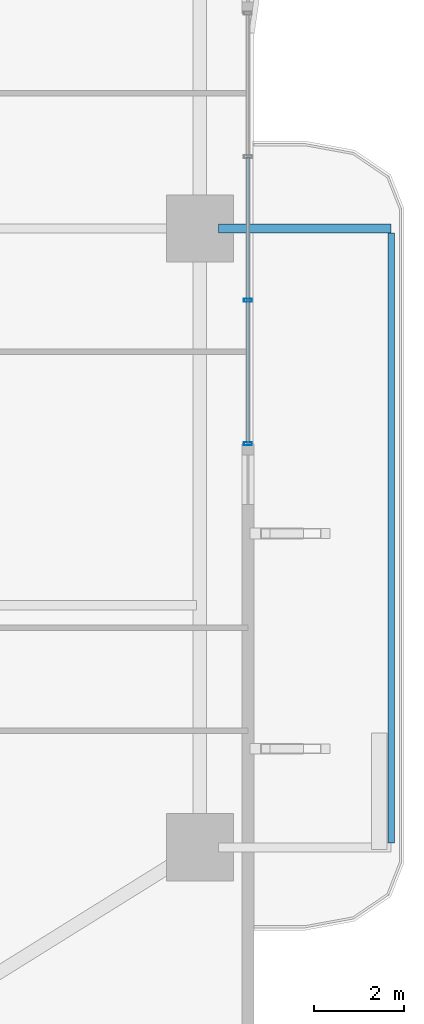
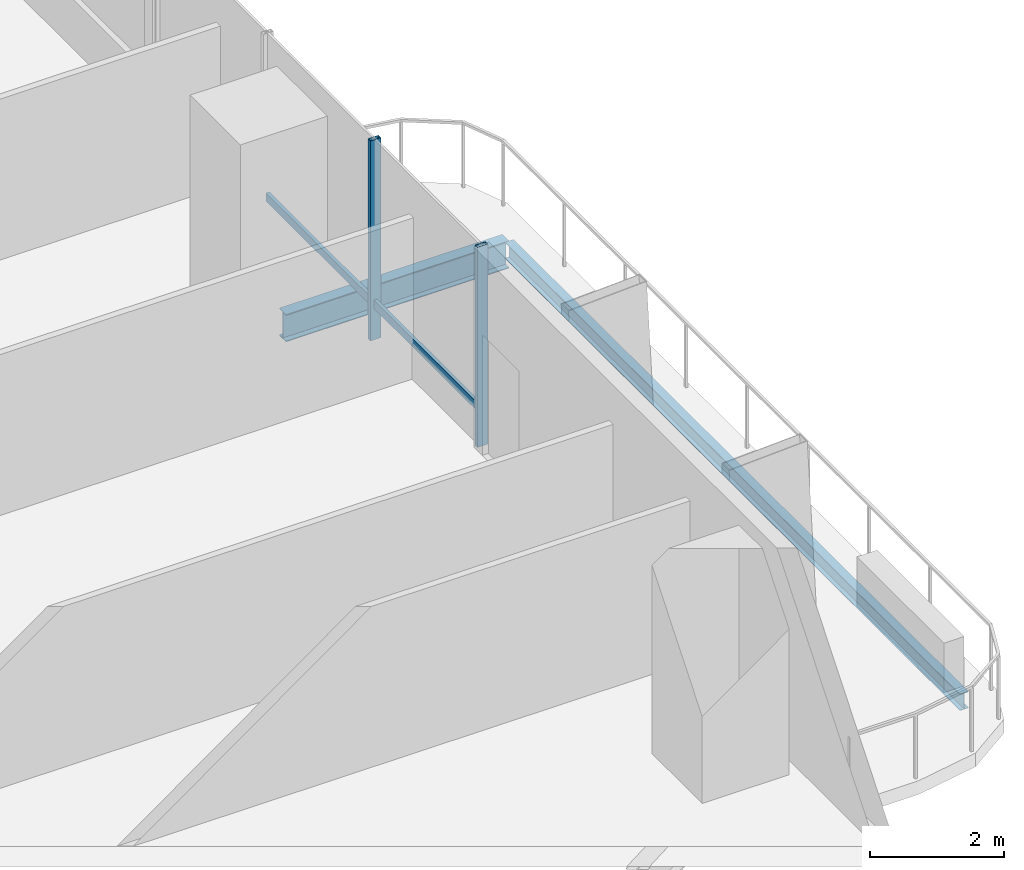
# One storey, part 8 of 23: 4 members, 2 beams, 1 element without a shape of its own.
"""IFC4 building model written with IfcOpenShell, lengths in metres."""

from ifc_helpers import new_model, si_unit, direction, frame, origin, origin_2d, place, context, subcontext, project, spatial, hollow_rectangle, i_section, extrude, material, layer, layer_set, material_profile, profile_set, type_object, element, aggregate, save


model = new_model("IFC4")

# Units and contexts
model_context = context("Model", 3, precision=1e-05, world=origin(), true_north=direction((0.0, 1.0)))
body_context = subcontext(model_context, "Body", "Model", "MODEL_VIEW")
ifc_project = project(units=[si_unit("LENGTHUNIT", "METRE"), si_unit("AREAUNIT", "SQUARE_METRE"), si_unit("VOLUMEUNIT", "CUBIC_METRE"), si_unit("PLANEANGLEUNIT", "RADIAN"), si_unit("MASSUNIT", "GRAM", prefix="KILO")], contexts=[model_context])

# Site, building, storey
site_placement = place(None, origin())
site = spatial("IfcSite", under=ifc_project, at=site_placement, CompositionType="ELEMENT")
building_placement = place(site_placement, origin())
building = spatial("IfcBuilding", under=site, at=building_placement, Name="Belovzor Exchange Tower", CompositionType="ELEMENT")
storey_placement = place(building_placement, frame((0.0, 0.0, 76.800048828125)))
storey = spatial("IfcBuildingStorey", under=building, at=storey_placement, Name="L18", CompositionType="ELEMENT", Elevation=76.800048828125)

# Beams
ifc_material_1 = material(Name="Steel S355", Category="steel")
ifc_material_profile_1 = material_profile(ifc_material_1, i_section(OverallWidth=0.199951171875, OverallDepth=0.5, WebThickness=0.01025390625, FlangeThickness=0.01611328125, at=origin_2d()))
ifc_profile_set_1 = profile_set([ifc_material_profile_1], Name="Steel S355")
beam_type_1 = type_object("IfcBeamType", Name="Planted Balcony Cantilever Beam IPE 500", PredefinedType="BEAM", material=ifc_profile_set_1)
beam_1_placement = place(storey_placement, frame((55.9130859375, 28.800048828125, -0.5), z_axis=(1.0, 0.0, 0.0), x_axis=(0.0, 1.0, 0.0)))
element("IfcBeam", 1, at=beam_1_placement, inside=storey, type_object=beam_type_1, Name="BC-500 Planted Balcony Cantilever Beam IPE 500", PredefinedType="BEAM", context=body_context, shape_type="SweptSolid", body=[
    extrude(i_section(OverallWidth=0.199951171875, OverallDepth=0.5, WebThickness=0.01025390625, FlangeThickness=0.01611328125, at=origin_2d()), origin(), (0.0, 0.0, 1.0), 3.849853515625),
])
ifc_material_2 = material(Name="Steel S355", Category="steel")
ifc_material_profile_2 = material_profile(ifc_material_2, i_section(OverallWidth=0.14990234375, OverallDepth=0.300048828125, WebThickness=0.007080078125, FlangeThickness=0.0107421875, at=origin_2d()))
ifc_profile_set_2 = profile_set([ifc_material_profile_2], Name="Steel S355")
beam_type_2 = type_object("IfcBeamType", Name="Planted Balcony Fascia Edge Beam IPE 300", PredefinedType="BEAM", material=ifc_profile_set_2)
beam_2_placement = place(storey_placement, frame((59.762939453125, 15.10009765625, -0.400146484375), z_axis=(0.0, 1.0, 0.0), x_axis=(-1.0, 0.0, 0.0)))
element("IfcBeam", 2, at=beam_2_placement, inside=storey, type_object=beam_type_2, Name="BC-300 Planted Balcony Fascia Edge Beam IPE 300", PredefinedType="BEAM", context=body_context, shape_type="SweptSolid", body=[
    extrude(i_section(OverallWidth=0.14990234375, OverallDepth=0.300048828125, WebThickness=0.007080078125, FlangeThickness=0.0107421875, at=origin_2d()), origin(), (0.0, 0.0, 1.0), 13.599853515625),
])

# Curtain wall, members
ifc_material_3 = material(Name="Anodised Aluminium Framing", Category="aluminium")
ifc_layer = layer(ifc_material_3, 0.179931640625)
ifc_layer_set = layer_set([ifc_layer], Name="Anodised Aluminium Framing")
curtain_wall_type = type_object("IfcCurtainWallType", Name="Recessed Loggia Low-Iron Triple-Glazed Curtain Wall", PredefinedType="NOTDEFINED", material=ifc_layer_set)
curtain_wall_placement = place(storey_placement, origin())
curtain_wall = element("IfcCurtainWall", 3, at=curtain_wall_placement, inside=storey, type_object=curtain_wall_type, Name="CW3 Recessed Loggia Low-Iron Triple-Glazed Curtain Wall L18", PredefinedType="NOTDEFINED")
ifc_material_4 = material(Name="Steel S355", Category="steel")
ifc_material_profile_3 = material_profile(ifc_material_4, hollow_rectangle(XDim=0.074951171875, YDim=0.179931640625, WallThickness=0.0048828125, at=origin_2d()))
ifc_profile_set_3 = profile_set([ifc_material_profile_3], Name="Steel S355")
member_type_1 = type_object("IfcMemberType", Name="Thermally Broken Curtain Wall Mullion 180x75", PredefinedType="MULLION", material=ifc_profile_set_3)
member_1_placement = place(storey_placement, frame((56.570068359375, 27.199951171875, 0.0), z_axis=(0.0, 0.0, 1.0), x_axis=(0.0, -1.0, 0.0)))
member_1 = element("IfcMember", 4, at=member_1_placement, type_object=member_type_1, Name="CW-M180 Curtain Wall Mullion 3", PredefinedType="MULLION", context=body_context, shape_type="SweptSolid", body=[
    extrude(hollow_rectangle(XDim=0.074951171875, YDim=0.179931640625, WallThickness=0.0048828125, at=origin_2d()), origin(), (0.0, 0.0, 1.0), 3.64990234375),
])
member_2_placement = place(storey_placement, frame((56.570068359375, 24.0, 0.0), z_axis=(0.0, 0.0, 1.0), x_axis=(0.0, -1.0, 0.0)))
member_2 = element("IfcMember", 5, at=member_2_placement, type_object=member_type_1, Name="CW-M180 Curtain Wall Mullion 4", PredefinedType="MULLION", context=body_context, shape_type="SweptSolid", body=[
    extrude(hollow_rectangle(XDim=0.074951171875, YDim=0.179931640625, WallThickness=0.0048828125, at=origin_2d()), origin(), (0.0, 0.0, 1.0), 3.64990234375),
])
ifc_material_5 = material(Name="Steel S355", Category="steel")
ifc_material_profile_4 = material_profile(ifc_material_5, hollow_rectangle(XDim=0.06005859375, YDim=0.14990234375, WallThickness=0.00390625, at=origin_2d()))
ifc_profile_set_4 = profile_set([ifc_material_profile_4], Name="Steel S355")
member_type_2 = type_object("IfcMemberType", Name="Thermally Broken Curtain Wall Transom 150x60", PredefinedType="USERDEFINED", material=ifc_profile_set_4)
member_3_placement = place(storey_placement, frame((56.570068359375, 30.39208984375, 0.64990234375), z_axis=(0.0, -1.0, 0.0), x_axis=(1.0, 0.0, 0.0)))
member_3 = element("IfcMember", 6, at=member_3_placement, type_object=member_type_2, Name="CW-T150 Curtain Wall Transom 2", ObjectType="TRANSOM", PredefinedType="USERDEFINED", context=body_context, shape_type="SweptSolid", body=[
    extrude(hollow_rectangle(XDim=0.06005859375, YDim=0.14990234375, WallThickness=0.00390625, at=origin_2d()), origin(), (0.0, 0.0, 1.0), 3.18408203125),
])
member_4_placement = place(storey_placement, frame((56.570068359375, 27.19189453125, 0.64990234375), z_axis=(0.0, -1.0, 0.0), x_axis=(1.0, 0.0, 0.0)))
member_4 = element("IfcMember", 7, at=member_4_placement, type_object=member_type_2, Name="CW-T150 Curtain Wall Transom 3", ObjectType="TRANSOM", PredefinedType="USERDEFINED", context=body_context, shape_type="SweptSolid", body=[
    extrude(hollow_rectangle(XDim=0.06005859375, YDim=0.14990234375, WallThickness=0.00390625, at=origin_2d()), origin(), (0.0, 0.0, 1.0), 3.183837890625),
])
aggregate(curtain_wall, [member_1, member_2, member_3, member_4])

save(model, "model.ifc")
